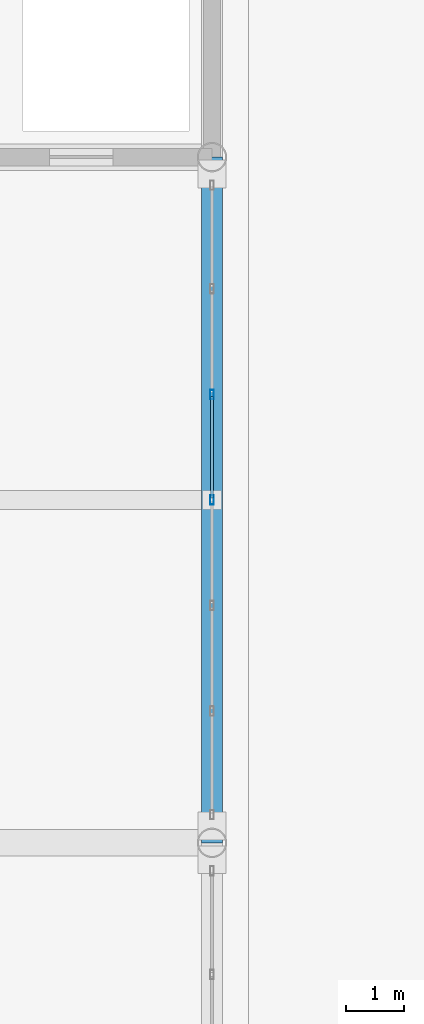
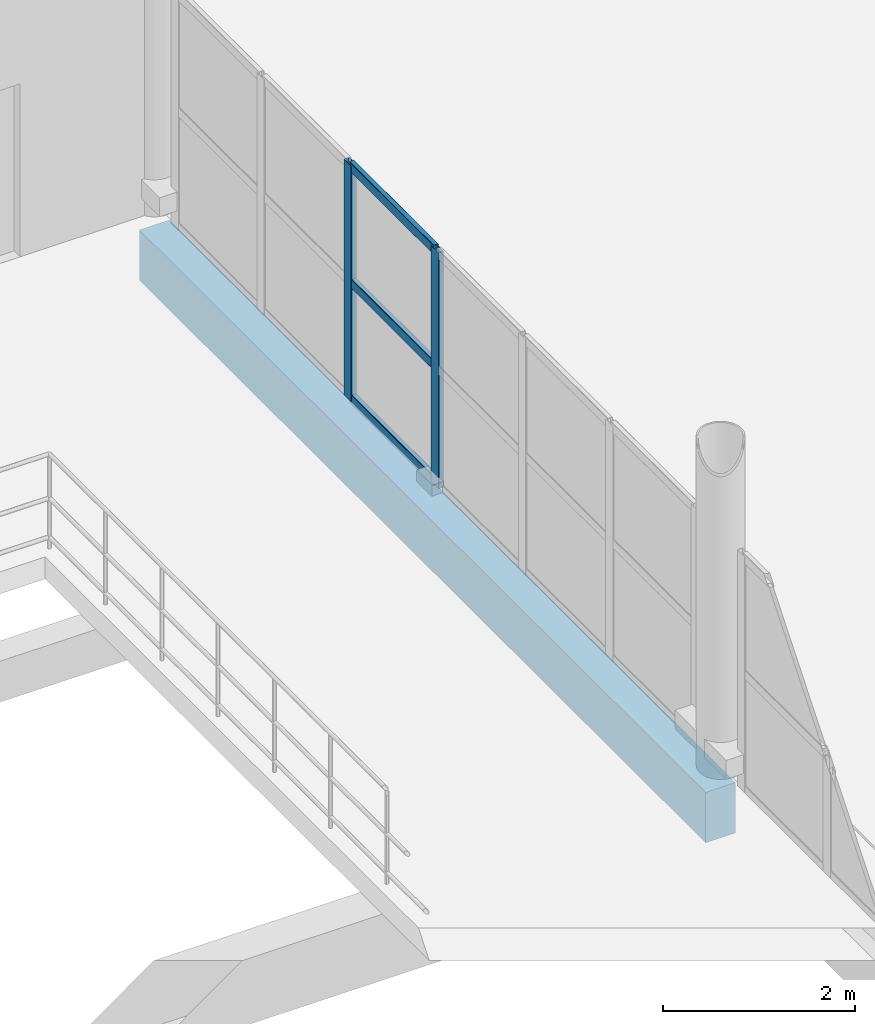
# One storey, part 76 of 157: 5 members, 1 beam, 1 element without a shape of its own.
"""IFC4 building model written with IfcOpenShell, lengths in metres."""

from ifc_helpers import new_model, si_unit, direction, frame, origin, origin_2d, place, context, subcontext, project, spatial, rectangle, hollow_rectangle, extrude, material, material_profile, profile_set, type_object, element, aggregate, save


model = new_model("IFC4")

# Units and contexts
model_context = context("Model", 3, precision=1e-05, world=origin(), true_north=direction((0.0, 1.0)))
body_context = subcontext(model_context, "Body", "Model", "MODEL_VIEW")
ifc_project = project(units=[si_unit("LENGTHUNIT", "METRE"), si_unit("AREAUNIT", "SQUARE_METRE"), si_unit("VOLUMEUNIT", "CUBIC_METRE"), si_unit("PLANEANGLEUNIT", "RADIAN"), si_unit("MASSUNIT", "GRAM", prefix="KILO")], contexts=[model_context])

# Site, building, storey
site_placement = place(None, origin())
site = spatial("IfcSite", under=ifc_project, at=site_placement, CompositionType="ELEMENT")
building_placement = place(site_placement, origin())
building = spatial("IfcBuilding", under=site, at=building_placement, Name="Brelvane Convention Centre", CompositionType="ELEMENT")
storey_placement = place(building_placement, frame((0.0, 0.0, 10.800048828125)))
storey = spatial("IfcBuildingStorey", under=building, at=storey_placement, Name="L02", CompositionType="ELEMENT", Elevation=10.800048828125)

# Curtain wall, members
ifc_material_1 = material(Name="Anodised Aluminium Alloy 6063-T6", Category="aluminium")
curtain_wall_type = type_object("IfcCurtainWallType", Name="Curtain Wall CW-CONC", PredefinedType="USERDEFINED", material=ifc_material_1)
curtain_wall_placement = place(storey_placement, origin())
curtain_wall = element("IfcCurtainWall", 1, at=curtain_wall_placement, inside=storey, type_object=curtain_wall_type, Name="Curtain Wall CW-CONC L02-GAL-ATRIUM-E-3", ObjectType="UNITISED", PredefinedType="USERDEFINED")
ifc_material_2 = material(Name="Anodised Aluminium Alloy 6063-T6", Category="aluminium")
ifc_material_profile_1 = material_profile(ifc_material_2, hollow_rectangle(XDim=0.06494140625, YDim=0.159912109375, WallThickness=0.00390625, InnerFilletRadius=0.00390625, OuterFilletRadius=0.008056640625, at=origin_2d()), Name="ALU-M 160x65x4.0")
ifc_profile_set_1 = profile_set([ifc_material_profile_1], Name="Anodised Aluminium Alloy 6063-T6")
member_type_1 = type_object("IfcMemberType", Name="Curtain Mullion CW-M3", PredefinedType="MULLION", material=ifc_profile_set_1)
member_1_placement = place(storey_placement, frame((163.199951171875, 70.10009765625, 0.0), z_axis=(0.0, 0.0, 1.0), x_axis=(-1.0, 0.0, 0.0)))
member_1 = element("IfcMember", 2, at=member_1_placement, type_object=member_type_1, Name="CW-CONC mullion 4", PredefinedType="MULLION", context=body_context, shape_type="SweptSolid", body=[
    extrude(hollow_rectangle(XDim=0.06494140625, YDim=0.159912109375, WallThickness=0.00390625, InnerFilletRadius=0.00390625, OuterFilletRadius=0.008056640625, at=origin_2d()), origin(), (0.0, 0.0, 1.0), 3.0),
])
member_2_placement = place(storey_placement, frame((163.199951171875, 71.916748046875, 0.0), z_axis=(0.0, 0.0, 1.0), x_axis=(-1.0, 0.0, 0.0)))
member_2 = element("IfcMember", 3, at=member_2_placement, type_object=member_type_1, Name="CW-CONC mullion 5", PredefinedType="MULLION", context=body_context, shape_type="SweptSolid", body=[
    extrude(hollow_rectangle(XDim=0.06494140625, YDim=0.159912109375, WallThickness=0.00390625, InnerFilletRadius=0.00390625, OuterFilletRadius=0.008056640625, at=origin_2d()), origin(), (0.0, 0.0, 1.0), 3.0),
])
ifc_material_3 = material(Name="Anodised Aluminium Alloy 6063-T6", Category="aluminium")
ifc_material_profile_2 = material_profile(ifc_material_3, hollow_rectangle(XDim=0.06005859375, YDim=0.1201171875, WallThickness=0.00390625, InnerFilletRadius=0.00390625, OuterFilletRadius=0.008056640625, at=origin_2d()), Name="ALU-T 120x60x4.0")
ifc_profile_set_2 = profile_set([ifc_material_profile_2], Name="Anodised Aluminium Alloy 6063-T6")
member_type_2 = type_object("IfcMemberType", Name="Curtain Transom CW-T3", PredefinedType="USERDEFINED", material=ifc_profile_set_2)
member_3_placement = place(storey_placement, frame((163.199951171875, 70.132568359375, 0.030029296875), z_axis=(0.0, 1.0, 0.0), x_axis=(-1.0, 0.0, 0.0)))
member_3 = element("IfcMember", 4, at=member_3_placement, type_object=member_type_2, Name="CW-CONC transom 4.1", ObjectType="TRANSOM", PredefinedType="USERDEFINED", context=body_context, shape_type="SweptSolid", body=[
    extrude(hollow_rectangle(XDim=0.06005859375, YDim=0.1201171875, WallThickness=0.00390625, InnerFilletRadius=0.00390625, OuterFilletRadius=0.008056640625, at=origin_2d()), origin(), (0.0, 0.0, 1.0), 1.751708984375),
])
member_4_placement = place(storey_placement, frame((163.199951171875, 70.132568359375, 1.5), z_axis=(0.0, 1.0, 0.0), x_axis=(-1.0, 0.0, 0.0)))
member_4 = element("IfcMember", 5, at=member_4_placement, type_object=member_type_2, Name="CW-CONC transom 4.2", ObjectType="TRANSOM", PredefinedType="USERDEFINED", context=body_context, shape_type="SweptSolid", body=[
    extrude(hollow_rectangle(XDim=0.06005859375, YDim=0.1201171875, WallThickness=0.00390625, InnerFilletRadius=0.00390625, OuterFilletRadius=0.008056640625, at=origin_2d()), origin(), (0.0, 0.0, 1.0), 1.751708984375),
])
member_5_placement = place(storey_placement, frame((163.199951171875, 70.132568359375, 2.969970703125), z_axis=(0.0, 1.0, 0.0), x_axis=(-1.0, 0.0, 0.0)))
member_5 = element("IfcMember", 6, at=member_5_placement, type_object=member_type_2, Name="CW-CONC transom 4.3", ObjectType="TRANSOM", PredefinedType="USERDEFINED", context=body_context, shape_type="SweptSolid", body=[
    extrude(hollow_rectangle(XDim=0.06005859375, YDim=0.1201171875, WallThickness=0.00390625, InnerFilletRadius=0.00390625, OuterFilletRadius=0.008056640625, at=origin_2d()), origin(), (0.0, 0.0, 1.0), 1.751708984375),
])
aggregate(curtain_wall, [member_1, member_2, member_3, member_4, member_5])

# Beam
ifc_material_4 = material(Name="Concrete M40", Category="concrete")
ifc_material_profile_3 = material_profile(ifc_material_4, rectangle(XDim=0.360107421875, YDim=0.639892578125, at=origin_2d()), Name="RC 360x640")
ifc_profile_set_3 = profile_set([ifc_material_profile_3], Name="Concrete M40")
beam_type = type_object("IfcBeamType", Name="RC Spandrel SP-RC3 (RC 360x640)", PredefinedType="SPANDREL", material=ifc_profile_set_3)
beam_placement = place(storey_placement, frame((163.199951171875, 64.199951171875, -0.60009765625), z_axis=(0.0, 1.0, 0.0), x_axis=(-1.0, 0.0, 0.0)))
element("IfcBeam", 7, at=beam_placement, inside=storey, type_object=beam_type, Name="L02 Girder 17/G-H", PredefinedType="SPANDREL", context=body_context, shape_type="SweptSolid", body=[
    extrude(rectangle(XDim=0.360107421875, YDim=0.639892578125, at=origin_2d()), origin(), (0.0, 0.0, 1.0), 11.800048828125),
])

save(model, "model.ifc")
